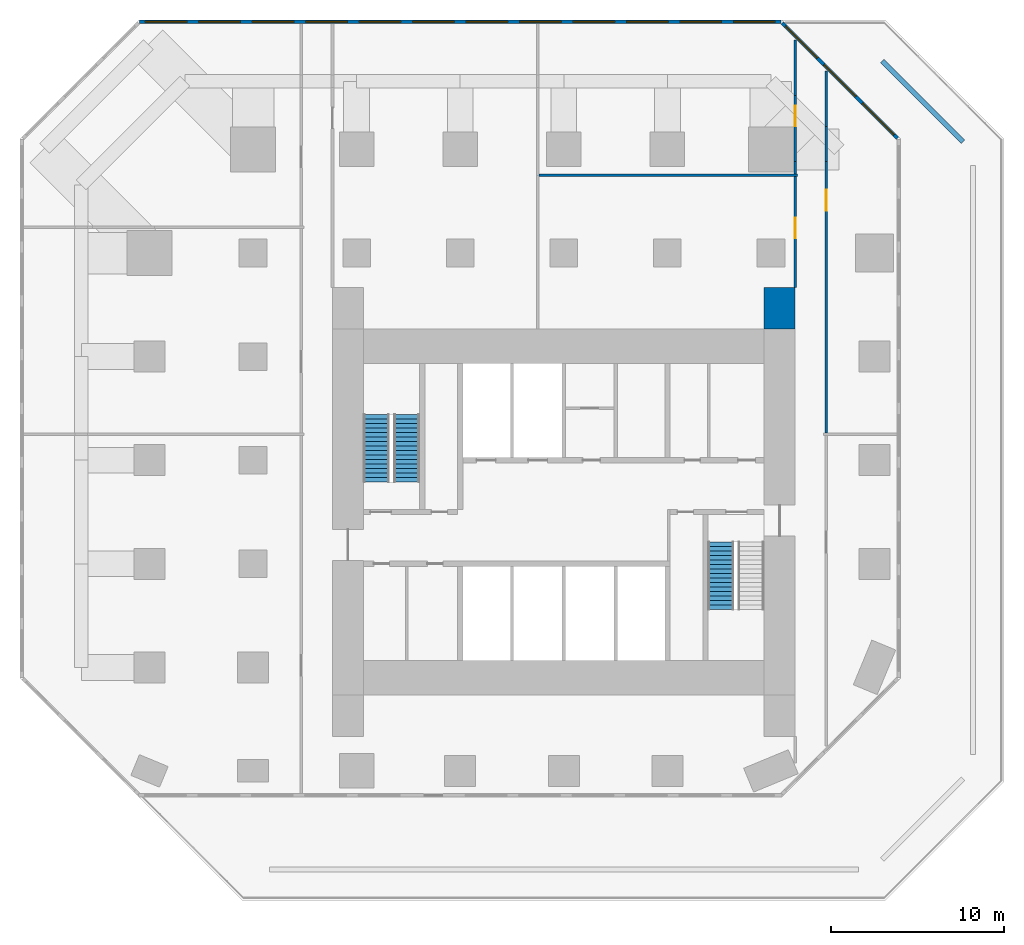
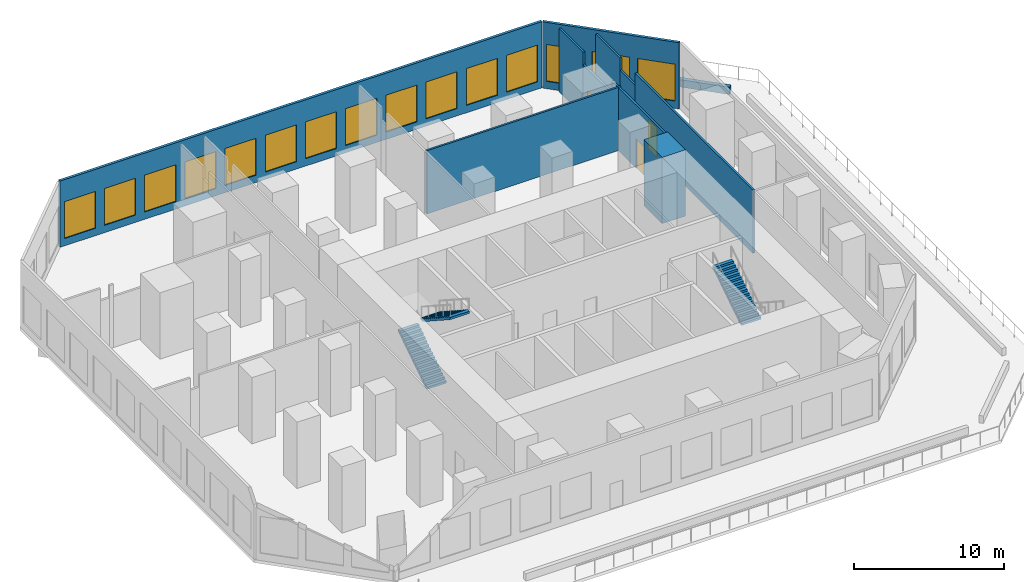
# One storey, part 5 of 7: 15 windows, 12 walls, 3 doors, 3 stair flights, 18 openings, 2 elements without a shape of their own.
"""IFC4 building model written with IfcOpenShell, lengths in metres."""

from ifc_helpers import new_model, si_unit, direction, frame, frame_2d, origin, place, context, subcontext, project, spatial, polyline, rectangle, outline, extrude, material, layer, layer_set, type_object, element, fill, aggregate, save


model = new_model("IFC4")

# Units and contexts
model_context = context("Model", 3, precision=1e-05, world=origin(), true_north=direction((0.0, 1.0)))
body_context = subcontext(model_context, "Body", "Model", "MODEL_VIEW")
ifc_project = project(units=[si_unit("LENGTHUNIT", "METRE"), si_unit("AREAUNIT", "SQUARE_METRE"), si_unit("VOLUMEUNIT", "CUBIC_METRE"), si_unit("PLANEANGLEUNIT", "RADIAN"), si_unit("MASSUNIT", "GRAM", prefix="KILO")], contexts=[model_context])

# Site, building, storey
site_placement = place(None, origin())
site = spatial("IfcSite", under=ifc_project, at=site_placement, CompositionType="ELEMENT")
building_placement = place(site_placement, origin())
building = spatial("IfcBuilding", under=site, at=building_placement, Name="Highveld Stack Headquarters", CompositionType="ELEMENT")
storey_placement = place(building_placement, frame((0.0, 0.0, 88.39990234375)))
storey = spatial("IfcBuildingStorey", under=building, at=storey_placement, Name="L21", CompositionType="ELEMENT", Elevation=88.39990234375)

# Walls
ifc_material_1 = material(Name="Concrete C60/75", Category="concrete")
ifc_layer_1 = layer(ifc_material_1, 1.800048828125)
ifc_layer_set_1 = layer_set([ifc_layer_1], Name="Concrete C60/75")
wall_type_1 = type_object("IfcWallType", Name="CORE WING WALL 1800 C60/75", PredefinedType="SHEAR", material=ifc_layer_set_1)
wall_1_placement = place(storey_placement, frame((18.5, 13.60009765625, 0.0), z_axis=(0.0, 0.0, 1.0), x_axis=(0.0, 1.0, 0.0)))
element("IfcWall", 1, at=wall_1_placement, inside=storey, type_object=wall_type_1, Name="Core wing wall EN L21", PredefinedType="SHEAR", context=body_context, shape_type="SweptSolid", body=[
    extrude(rectangle(XDim=2.39990234375, YDim=1.800048828125, at=frame_2d((1.199951171875, 0.0))), origin(), (0.0, 0.0, 1.0), 5.400146484375),
])
ifc_material_2 = material(Name="Concrete blockwork, plastered", Category="masonry")
ifc_layer_2 = layer(ifc_material_2, 0.14990234375)
ifc_layer_set_2 = layer_set([ifc_layer_2], Name="Concrete blockwork, plastered")
wall_type_2 = type_object("IfcWallType", Name="FIRE PARTITION 150 BLOCKWORK", PredefinedType="PARTITIONING", material=ifc_layer_set_2)
wall_2_placement = place(storey_placement, frame((4.574951171875, 22.5, 0.0), z_axis=(0.0, 0.0, 1.0), x_axis=(1.0, 0.0, 0.0)))
element("IfcWall", 2, at=wall_2_placement, inside=storey, type_object=wall_type_2, Name="Partition office neighbourhood L21", PredefinedType="PARTITIONING", context=body_context, shape_type="SweptSolid", body=[
    extrude(rectangle(XDim=14.97509765625, YDim=0.14990234375, at=frame_2d((7.487548828125, 0.0))), origin(), (0.0, 0.0, 1.0), 5.150146484375),
])

# Wall, opening, door
wall_3_placement = place(storey_placement, frame((19.39990234375, 16.0, 0.0), z_axis=(0.0, 0.0, 1.0), x_axis=(0.0, 1.0, 0.0)))
wall_3 = element("IfcWall", 3, at=wall_3_placement, inside=storey, type_object=wall_type_2, Name="Partition office neighbourhood L21", PredefinedType="PARTITIONING", context=body_context, shape_type="SweptSolid", body=[
    extrude(rectangle(XDim=6.425048828125, YDim=0.14990234375, at=frame_2d((3.21240234375, 0.0))), origin(), (0.0, 0.0, 1.0), 5.150146484375),
])
opening_1_placement = place(wall_3_placement, frame((2.85009765625, 0.0, 0.0)))
opening_1 = element("IfcOpeningElement", 4, at=opening_1_placement, cuts=wall_3, Name="Opening L21-20", PredefinedType="OPENING", context=body_context, shape_type="SweptSolid", body=[
    extrude(rectangle(XDim=1.199951171875, YDim=2.39990234375, at=frame_2d((0.60009765625, 1.199951171875))), frame((0.0, 0.0849609375, 0.0), z_axis=(0.0, -1.0, 0.0), x_axis=(1.0, 0.0, 0.0)), (0.0, 0.0, 1.0), 0.169921875),
])
ifc_material_3 = material(Name="Steel fire door", Category="steel")
door_type = type_object("IfcDoorType", Name="PLANT FIRE DOOR D7 1200x2400", OperationType="SINGLE_SWING_LEFT", PredefinedType="DOOR", material=ifc_material_3)
door_1_placement = place(opening_1_placement, origin())
door_1 = element("IfcDoor", 5, at=door_1_placement, inside=storey, type_object=door_type, Name="Plant room door L21", OperationType="SINGLE_SWING_RIGHT", OverallHeight=2.39990234375, OverallWidth=1.199951171875, PredefinedType="DOOR", context=body_context, shape_type="SweptSolid", body=[
    extrude(rectangle(XDim=1.199951171875, YDim=2.39990234375, at=frame_2d((0.60009765625, 1.199951171875))), frame((0.0, 0.02490234375, 0.0), z_axis=(0.0, -1.0, 0.0), x_axis=(1.0, 0.0, 0.0)), (0.0, 0.0, 1.0), 0.050048828125),
])
fill(opening_1, door_1)

# Wall
wall_4_placement = place(storey_placement, frame((19.39990234375, 22.574951171875, 0.0), z_axis=(0.0, 0.0, 1.0), x_axis=(0.0, 1.0, 0.0)))
element("IfcWall", 6, at=wall_4_placement, inside=storey, type_object=wall_type_2, Name="Partition office neighbourhood L21", PredefinedType="PARTITIONING", context=body_context, shape_type="SweptSolid", body=[
    extrude(rectangle(XDim=0.715087890625, YDim=0.14990234375, at=frame_2d((0.357421875, 0.0))), origin(), (0.0, 0.0, 1.0), 5.150146484375),
])

# Wall, opening, door
wall_5_placement = place(storey_placement, frame((19.39990234375, 23.2900390625, 0.0), z_axis=(0.0, 0.0, 1.0), x_axis=(0.0, 1.0, 0.0)))
wall_5 = element("IfcWall", 7, at=wall_5_placement, inside=storey, type_object=wall_type_2, Name="Partition office neighbourhood L21", PredefinedType="PARTITIONING", context=body_context, shape_type="SweptSolid", body=[
    extrude(rectangle(XDim=3.849853515625, YDim=0.14990234375, at=frame_2d((1.9248046875, 0.0))), origin(), (0.0, 0.0, 1.0), 4.150146484375),
])
opening_2_placement = place(wall_5_placement, frame((2.050048828125, 0.0, 0.0)))
opening_2 = element("IfcOpeningElement", 8, at=opening_2_placement, cuts=wall_5, Name="Opening L21-21", PredefinedType="OPENING", context=body_context, shape_type="SweptSolid", body=[
    extrude(rectangle(XDim=1.199951171875, YDim=2.39990234375, at=frame_2d((0.60009765625, 1.199951171875))), frame((0.0, 0.0849609375, 0.0), z_axis=(0.0, -1.0, 0.0), x_axis=(1.0, 0.0, 0.0)), (0.0, 0.0, 1.0), 0.169921875),
])
door_2_placement = place(opening_2_placement, origin())
door_2 = element("IfcDoor", 9, at=door_2_placement, inside=storey, type_object=door_type, Name="Plant room door L21", OperationType="SINGLE_SWING_RIGHT", OverallHeight=2.39990234375, OverallWidth=1.199951171875, PredefinedType="DOOR", context=body_context, shape_type="SweptSolid", body=[
    extrude(rectangle(XDim=1.199951171875, YDim=2.39990234375, at=frame_2d((0.60009765625, 1.199951171875))), frame((0.0, 0.02490234375, 0.0), z_axis=(0.0, -1.0, 0.0), x_axis=(1.0, 0.0, 0.0)), (0.0, 0.0, 1.0), 0.050048828125),
])
fill(opening_2, door_2)

# Wall
wall_6_placement = place(storey_placement, frame((19.39990234375, 27.139892578125, 0.0), z_axis=(0.0, 0.0, 1.0), x_axis=(0.0, 1.0, 0.0)))
element("IfcWall", 10, at=wall_6_placement, inside=storey, type_object=wall_type_2, Name="Partition office neighbourhood L21", PredefinedType="PARTITIONING", context=body_context, shape_type="SweptSolid", body=[
    extrude(rectangle(XDim=3.216064453125, YDim=0.14990234375, at=frame_2d((1.60791015625, 0.0))), origin(), (0.0, 0.0, 1.0), 5.150146484375),
])

# Wall, opening, door
wall_7_placement = place(storey_placement, frame((21.199951171875, 7.574951171875, 0.0), z_axis=(0.0, 0.0, 1.0), x_axis=(0.0, 1.0, 0.0)))
wall_7 = element("IfcWall", 11, at=wall_7_placement, inside=storey, type_object=wall_type_2, Name="Partition office neighbourhood L21", PredefinedType="PARTITIONING", context=body_context, shape_type="SweptSolid", body=[
    extrude(rectangle(XDim=15.715087890625, YDim=0.14990234375, at=frame_2d((7.857421875, 0.0))), origin(), (0.0, 0.0, 1.0), 5.150146484375),
])
opening_3_placement = place(wall_7_placement, frame((12.881103515625, 0.0, 0.0)))
opening_3 = element("IfcOpeningElement", 12, at=opening_3_placement, cuts=wall_7, Name="Opening L21-17", PredefinedType="OPENING", context=body_context, shape_type="SweptSolid", body=[
    extrude(rectangle(XDim=1.199951171875, YDim=2.39990234375, at=frame_2d((0.60009765625, 1.199951171875))), frame((0.0, 0.0849609375, 0.0), z_axis=(0.0, -1.0, 0.0), x_axis=(1.0, 0.0, 0.0)), (0.0, 0.0, 1.0), 0.169921875),
])
door_3_placement = place(opening_3_placement, origin())
door_3 = element("IfcDoor", 13, at=door_3_placement, inside=storey, type_object=door_type, Name="Plant room door L21", OperationType="SINGLE_SWING_RIGHT", OverallHeight=2.39990234375, OverallWidth=1.199951171875, PredefinedType="DOOR", context=body_context, shape_type="SweptSolid", body=[
    extrude(rectangle(XDim=1.199951171875, YDim=2.39990234375, at=frame_2d((0.60009765625, 1.199951171875))), frame((0.0, 0.02490234375, 0.0), z_axis=(0.0, -1.0, 0.0), x_axis=(1.0, 0.0, 0.0)), (0.0, 0.0, 1.0), 0.050048828125),
])
fill(opening_3, door_3)

# Walls
wall_8_placement = place(storey_placement, frame((21.199951171875, 23.2900390625, 0.0), z_axis=(0.0, 0.0, 1.0), x_axis=(0.0, 1.0, 0.0)))
element("IfcWall", 14, at=wall_8_placement, inside=storey, type_object=wall_type_2, Name="Partition office neighbourhood L21", PredefinedType="PARTITIONING", context=body_context, shape_type="SweptSolid", body=[
    extrude(rectangle(XDim=2.050048828125, YDim=0.14990234375, at=frame_2d((1.02490234375, 0.0))), origin(), (0.0, 0.0, 1.0), 4.150146484375),
])
wall_9_placement = place(storey_placement, frame((21.199951171875, 25.340087890625, 0.0), z_axis=(0.0, 0.0, 1.0), x_axis=(0.0, 1.0, 0.0)))
element("IfcWall", 15, at=wall_9_placement, inside=storey, type_object=wall_type_2, Name="Partition office neighbourhood L21", PredefinedType="PARTITIONING", context=body_context, shape_type="SweptSolid", body=[
    extrude(rectangle(XDim=3.2158203125, YDim=0.14990234375, at=frame_2d((1.60791015625, 0.0))), origin(), (0.0, 0.0, 1.0), 5.150146484375),
])
ifc_material_4 = material(Name="Concrete C40/50, precast planter", Category="concrete")
ifc_layer_3 = layer(ifc_material_4, 0.300048828125)
ifc_layer_set_3 = layer_set([ifc_layer_3], Name="Concrete C40/50, precast planter")
wall_type_3 = type_object("IfcWallType", Name="PLANTER WALL PL1 300", PredefinedType="USERDEFINED", material=ifc_layer_set_3)
wall_10_placement = place(storey_placement, frame((24.453125, 29.12255859375, 0.0), z_axis=(0.0, 0.0, 1.0), x_axis=(0.707106781187, -0.707106781187, 0.0)))
element("IfcWall", 16, at=wall_10_placement, inside=storey, type_object=wall_type_3, Name="Planter L21 1.2", ObjectType="PLANTER", PredefinedType="USERDEFINED", context=body_context, shape_type="SweptSolid", body=[
    extrude(rectangle(XDim=6.603515625, YDim=0.300048828125, at=frame_2d((3.3017578125, 0.0))), origin(), (0.0, 0.0, 1.0), 0.60009765625),
])

# Wall, openings, windows
ifc_material_5 = material(Name="Concrete C40/50, precast cladding", Category="concrete")
ifc_layer_4 = layer(ifc_material_5, 0.199951171875)
ifc_layer_set_4 = layer_set([ifc_layer_4], Name="Concrete C40/50, precast cladding")
wall_type_4 = type_object("IfcWallType", Name="PRECAST LOUVRE WALL 200", PredefinedType="USERDEFINED", material=ifc_layer_set_4)
wall_11_placement = place(storey_placement, frame((25.329345703125, 24.650634765625, 0.0), z_axis=(0.0, 0.0, 1.0), x_axis=(-0.707106781187, 0.707106781187, 0.0)))
wall_11 = element("IfcWall", 17, at=wall_11_placement, inside=storey, type_object=wall_type_4, Name="Precast louvre wall L21 NE", ObjectType="PRECAST CLADDING", PredefinedType="USERDEFINED", context=body_context, shape_type="SweptSolid", body=[
    extrude(rectangle(XDim=9.445068359375, YDim=0.199951171875, at=frame_2d((4.72265625, 0.0))), origin(), (0.0, 0.0, 1.0), 5.400146484375),
])
opening_4_placement = place(wall_11_placement, frame((0.274169921875, 0.0, 0.60009765625)))
opening_4 = element("IfcOpeningElement", 18, at=opening_4_placement, cuts=wall_11, Name="Opening L2", PredefinedType="OPENING", context=body_context, shape_type="SweptSolid", body=[
    extrude(rectangle(XDim=2.60009765625, YDim=3.0, at=frame_2d((1.300048828125, 1.5))), frame((0.0, 0.10986328125, 0.0), z_axis=(0.0, -1.0, 0.0), x_axis=(1.0, 0.0, 0.0)), (0.0, 0.0, 1.0), 0.219970703125),
])
opening_5_placement = place(wall_11_placement, frame((3.422607421875, 0.0, 0.60009765625)))
opening_5 = element("IfcOpeningElement", 19, at=opening_5_placement, cuts=wall_11, Name="Opening L2", PredefinedType="OPENING", context=body_context, shape_type="SweptSolid", body=[
    extrude(rectangle(XDim=2.60009765625, YDim=3.0, at=frame_2d((1.300048828125, 1.5))), frame((0.0, 0.10986328125, 0.0), z_axis=(0.0, -1.0, 0.0), x_axis=(1.0, 0.0, 0.0)), (0.0, 0.0, 1.0), 0.219970703125),
])
opening_6_placement = place(wall_11_placement, frame((6.57080078125, 0.0, 0.60009765625)))
opening_6 = element("IfcOpeningElement", 20, at=opening_6_placement, cuts=wall_11, Name="Opening L2", PredefinedType="OPENING", context=body_context, shape_type="SweptSolid", body=[
    extrude(rectangle(XDim=2.60009765625, YDim=3.0, at=frame_2d((1.300048828125, 1.5))), frame((0.0, 0.10986328125, 0.0), z_axis=(0.0, -1.0, 0.0), x_axis=(1.0, 0.0, 0.0)), (0.0, 0.0, 1.0), 0.219970703125),
])
ifc_material_6 = material(Name="Aluminium bronze anodised", Category="aluminium")
window_type_1 = type_object("IfcWindowType", Name="LOUVRE L2 2400x3000 CHAMFER", PartitioningType="SINGLE_PANEL", PredefinedType="USERDEFINED", material=ifc_material_6)
window_1_placement = place(opening_4_placement, origin())
window_1 = element("IfcWindow", 21, at=window_1_placement, inside=storey, type_object=window_type_1, Name="Louvre L21 NE 1", ObjectType="LOUVRE", OverallHeight=3.0, OverallWidth=2.60009765625, PartitioningType="SINGLE_PANEL", PredefinedType="USERDEFINED", context=body_context, shape_type="SweptSolid", body=[
    extrude(rectangle(XDim=2.60009765625, YDim=3.0, at=frame_2d((1.300048828125, 1.5))), frame((0.0, 0.030029296875, 0.0), z_axis=(0.0, -1.0, 0.0), x_axis=(1.0, 0.0, 0.0)), (0.0, 0.0, 1.0), 0.06005859375),
])
fill(opening_4, window_1)
window_2_placement = place(opening_5_placement, origin())
window_2 = element("IfcWindow", 22, at=window_2_placement, inside=storey, type_object=window_type_1, Name="Louvre L21 NE 2", ObjectType="LOUVRE", OverallHeight=3.0, OverallWidth=2.60009765625, PartitioningType="SINGLE_PANEL", PredefinedType="USERDEFINED", context=body_context, shape_type="SweptSolid", body=[
    extrude(rectangle(XDim=2.60009765625, YDim=3.0, at=frame_2d((1.300048828125, 1.5))), frame((0.0, 0.030029296875, 0.0), z_axis=(0.0, -1.0, 0.0), x_axis=(1.0, 0.0, 0.0)), (0.0, 0.0, 1.0), 0.06005859375),
])
fill(opening_5, window_2)
window_3_placement = place(opening_6_placement, origin())
window_3 = element("IfcWindow", 23, at=window_3_placement, inside=storey, type_object=window_type_1, Name="Louvre L21 NE 3", ObjectType="LOUVRE", OverallHeight=3.0, OverallWidth=2.60009765625, PartitioningType="SINGLE_PANEL", PredefinedType="USERDEFINED", context=body_context, shape_type="SweptSolid", body=[
    extrude(rectangle(XDim=2.60009765625, YDim=3.0, at=frame_2d((1.300048828125, 1.5))), frame((0.0, 0.030029296875, 0.0), z_axis=(0.0, -1.0, 0.0), x_axis=(1.0, 0.0, 0.0)), (0.0, 0.0, 1.0), 0.06005859375),
])
fill(opening_6, window_3)

wall_12_placement = place(storey_placement, frame((18.579833984375, 31.39990234375, 0.0), z_axis=(0.0, 0.0, 1.0), x_axis=(-1.0, 0.0, 0.0)))
wall_12 = element("IfcWall", 24, at=wall_12_placement, inside=storey, type_object=wall_type_4, Name="Precast louvre wall L21 N", ObjectType="PRECAST CLADDING", PredefinedType="USERDEFINED", context=body_context, shape_type="SweptSolid", body=[
    extrude(rectangle(XDim=37.15966796875, YDim=0.199951171875, at=frame_2d((18.579833984375, 0.0))), origin(), (0.0, 0.0, 1.0), 5.400146484375),
])
opening_7_placement = place(wall_12_placement, frame((0.348388671875, 0.0, 0.60009765625)))
opening_7 = element("IfcOpeningElement", 25, at=opening_7_placement, cuts=wall_12, Name="Opening L1", PredefinedType="OPENING", context=body_context, shape_type="SweptSolid", body=[
    extrude(rectangle(XDim=2.39990234375, YDim=3.0, at=frame_2d((1.199951171875, 1.5))), frame((0.0, 0.10986328125, 0.0), z_axis=(0.0, -1.0, 0.0), x_axis=(1.0, 0.0, 0.0)), (0.0, 0.0, 1.0), 0.219970703125),
])
opening_8_placement = place(wall_12_placement, frame((3.445068359375, 0.0, 0.60009765625)))
opening_8 = element("IfcOpeningElement", 26, at=opening_8_placement, cuts=wall_12, Name="Opening L1", PredefinedType="OPENING", context=body_context, shape_type="SweptSolid", body=[
    extrude(rectangle(XDim=2.39990234375, YDim=3.0, at=frame_2d((1.199951171875, 1.5))), frame((0.0, 0.10986328125, 0.0), z_axis=(0.0, -1.0, 0.0), x_axis=(1.0, 0.0, 0.0)), (0.0, 0.0, 1.0), 0.219970703125),
])
opening_9_placement = place(wall_12_placement, frame((6.54150390625, 0.0, 0.60009765625)))
opening_9 = element("IfcOpeningElement", 27, at=opening_9_placement, cuts=wall_12, Name="Opening L1", PredefinedType="OPENING", context=body_context, shape_type="SweptSolid", body=[
    extrude(rectangle(XDim=2.39990234375, YDim=3.0, at=frame_2d((1.199951171875, 1.5))), frame((0.0, 0.10986328125, 0.0), z_axis=(0.0, -1.0, 0.0), x_axis=(1.0, 0.0, 0.0)), (0.0, 0.0, 1.0), 0.219970703125),
])
opening_10_placement = place(wall_12_placement, frame((9.63818359375, 0.0, 0.60009765625)))
opening_10 = element("IfcOpeningElement", 28, at=opening_10_placement, cuts=wall_12, Name="Opening L1", PredefinedType="OPENING", context=body_context, shape_type="SweptSolid", body=[
    extrude(rectangle(XDim=2.39990234375, YDim=3.0, at=frame_2d((1.199951171875, 1.5))), frame((0.0, 0.10986328125, 0.0), z_axis=(0.0, -1.0, 0.0), x_axis=(1.0, 0.0, 0.0)), (0.0, 0.0, 1.0), 0.219970703125),
])
opening_11_placement = place(wall_12_placement, frame((12.73486328125, 0.0, 0.60009765625)))
opening_11 = element("IfcOpeningElement", 29, at=opening_11_placement, cuts=wall_12, Name="Opening L1", PredefinedType="OPENING", context=body_context, shape_type="SweptSolid", body=[
    extrude(rectangle(XDim=2.39990234375, YDim=3.0, at=frame_2d((1.199951171875, 1.5))), frame((0.0, 0.10986328125, 0.0), z_axis=(0.0, -1.0, 0.0), x_axis=(1.0, 0.0, 0.0)), (0.0, 0.0, 1.0), 0.219970703125),
])
opening_12_placement = place(wall_12_placement, frame((15.83154296875, 0.0, 0.60009765625)))
opening_12 = element("IfcOpeningElement", 30, at=opening_12_placement, cuts=wall_12, Name="Opening L1", PredefinedType="OPENING", context=body_context, shape_type="SweptSolid", body=[
    extrude(rectangle(XDim=2.39990234375, YDim=3.0, at=frame_2d((1.199951171875, 1.5))), frame((0.0, 0.10986328125, 0.0), z_axis=(0.0, -1.0, 0.0), x_axis=(1.0, 0.0, 0.0)), (0.0, 0.0, 1.0), 0.219970703125),
])
opening_13_placement = place(wall_12_placement, frame((18.92822265625, 0.0, 0.60009765625)))
opening_13 = element("IfcOpeningElement", 31, at=opening_13_placement, cuts=wall_12, Name="Opening L1", PredefinedType="OPENING", context=body_context, shape_type="SweptSolid", body=[
    extrude(rectangle(XDim=2.39990234375, YDim=3.0, at=frame_2d((1.199951171875, 1.5))), frame((0.0, 0.10986328125, 0.0), z_axis=(0.0, -1.0, 0.0), x_axis=(1.0, 0.0, 0.0)), (0.0, 0.0, 1.0), 0.219970703125),
])
opening_14_placement = place(wall_12_placement, frame((22.02490234375, 0.0, 0.60009765625)))
opening_14 = element("IfcOpeningElement", 32, at=opening_14_placement, cuts=wall_12, Name="Opening L1", PredefinedType="OPENING", context=body_context, shape_type="SweptSolid", body=[
    extrude(rectangle(XDim=2.39990234375, YDim=3.0, at=frame_2d((1.199951171875, 1.5))), frame((0.0, 0.10986328125, 0.0), z_axis=(0.0, -1.0, 0.0), x_axis=(1.0, 0.0, 0.0)), (0.0, 0.0, 1.0), 0.219970703125),
])
opening_15_placement = place(wall_12_placement, frame((25.12158203125, 0.0, 0.60009765625)))
opening_15 = element("IfcOpeningElement", 33, at=opening_15_placement, cuts=wall_12, Name="Opening L1", PredefinedType="OPENING", context=body_context, shape_type="SweptSolid", body=[
    extrude(rectangle(XDim=2.39990234375, YDim=3.0, at=frame_2d((1.199951171875, 1.5))), frame((0.0, 0.10986328125, 0.0), z_axis=(0.0, -1.0, 0.0), x_axis=(1.0, 0.0, 0.0)), (0.0, 0.0, 1.0), 0.219970703125),
])
opening_16_placement = place(wall_12_placement, frame((28.21826171875, 0.0, 0.60009765625)))
opening_16 = element("IfcOpeningElement", 34, at=opening_16_placement, cuts=wall_12, Name="Opening L1", PredefinedType="OPENING", context=body_context, shape_type="SweptSolid", body=[
    extrude(rectangle(XDim=2.39990234375, YDim=3.0, at=frame_2d((1.199951171875, 1.5))), frame((0.0, 0.10986328125, 0.0), z_axis=(0.0, -1.0, 0.0), x_axis=(1.0, 0.0, 0.0)), (0.0, 0.0, 1.0), 0.219970703125),
])
opening_17_placement = place(wall_12_placement, frame((31.314697265625, 0.0, 0.60009765625)))
opening_17 = element("IfcOpeningElement", 35, at=opening_17_placement, cuts=wall_12, Name="Opening L1", PredefinedType="OPENING", context=body_context, shape_type="SweptSolid", body=[
    extrude(rectangle(XDim=2.39990234375, YDim=3.0, at=frame_2d((1.199951171875, 1.5))), frame((0.0, 0.10986328125, 0.0), z_axis=(0.0, -1.0, 0.0), x_axis=(1.0, 0.0, 0.0)), (0.0, 0.0, 1.0), 0.219970703125),
])
opening_18_placement = place(wall_12_placement, frame((34.41162109375, 0.0, 0.60009765625)))
opening_18 = element("IfcOpeningElement", 36, at=opening_18_placement, cuts=wall_12, Name="Opening L1", PredefinedType="OPENING", context=body_context, shape_type="SweptSolid", body=[
    extrude(rectangle(XDim=2.39990234375, YDim=3.0, at=frame_2d((1.199951171875, 1.5))), frame((0.0, 0.10986328125, 0.0), z_axis=(0.0, -1.0, 0.0), x_axis=(1.0, 0.0, 0.0)), (0.0, 0.0, 1.0), 0.219970703125),
])
ifc_material_7 = material(Name="Aluminium bronze anodised", Category="aluminium")
window_type_2 = type_object("IfcWindowType", Name="LOUVRE L1 2400x3000", PartitioningType="SINGLE_PANEL", PredefinedType="USERDEFINED", material=ifc_material_7)
window_4_placement = place(opening_7_placement, origin())
window_4 = element("IfcWindow", 37, at=window_4_placement, inside=storey, type_object=window_type_2, Name="Louvre L21 N 1", ObjectType="LOUVRE", OverallHeight=3.0, OverallWidth=2.39990234375, PartitioningType="SINGLE_PANEL", PredefinedType="USERDEFINED", context=body_context, shape_type="SweptSolid", body=[
    extrude(rectangle(XDim=2.39990234375, YDim=3.0, at=frame_2d((1.199951171875, 1.5))), frame((0.0, 0.030029296875, 0.0), z_axis=(0.0, -1.0, 0.0), x_axis=(1.0, 0.0, 0.0)), (0.0, 0.0, 1.0), 0.06005859375),
])
fill(opening_7, window_4)
window_5_placement = place(opening_8_placement, origin())
window_5 = element("IfcWindow", 38, at=window_5_placement, inside=storey, type_object=window_type_2, Name="Louvre L21 N 2", ObjectType="LOUVRE", OverallHeight=3.0, OverallWidth=2.39990234375, PartitioningType="SINGLE_PANEL", PredefinedType="USERDEFINED", context=body_context, shape_type="SweptSolid", body=[
    extrude(rectangle(XDim=2.39990234375, YDim=3.0, at=frame_2d((1.199951171875, 1.5))), frame((0.0, 0.030029296875, 0.0), z_axis=(0.0, -1.0, 0.0), x_axis=(1.0, 0.0, 0.0)), (0.0, 0.0, 1.0), 0.06005859375),
])
fill(opening_8, window_5)
window_6_placement = place(opening_9_placement, origin())
window_6 = element("IfcWindow", 39, at=window_6_placement, inside=storey, type_object=window_type_2, Name="Louvre L21 N 3", ObjectType="LOUVRE", OverallHeight=3.0, OverallWidth=2.39990234375, PartitioningType="SINGLE_PANEL", PredefinedType="USERDEFINED", context=body_context, shape_type="SweptSolid", body=[
    extrude(rectangle(XDim=2.39990234375, YDim=3.0, at=frame_2d((1.199951171875, 1.5))), frame((0.0, 0.030029296875, 0.0), z_axis=(0.0, -1.0, 0.0), x_axis=(1.0, 0.0, 0.0)), (0.0, 0.0, 1.0), 0.06005859375),
])
fill(opening_9, window_6)
window_7_placement = place(opening_10_placement, origin())
window_7 = element("IfcWindow", 40, at=window_7_placement, inside=storey, type_object=window_type_2, Name="Louvre L21 N 4", ObjectType="LOUVRE", OverallHeight=3.0, OverallWidth=2.39990234375, PartitioningType="SINGLE_PANEL", PredefinedType="USERDEFINED", context=body_context, shape_type="SweptSolid", body=[
    extrude(rectangle(XDim=2.39990234375, YDim=3.0, at=frame_2d((1.199951171875, 1.5))), frame((0.0, 0.030029296875, 0.0), z_axis=(0.0, -1.0, 0.0), x_axis=(1.0, 0.0, 0.0)), (0.0, 0.0, 1.0), 0.06005859375),
])
fill(opening_10, window_7)
window_8_placement = place(opening_11_placement, origin())
window_8 = element("IfcWindow", 41, at=window_8_placement, inside=storey, type_object=window_type_2, Name="Louvre L21 N 5", ObjectType="LOUVRE", OverallHeight=3.0, OverallWidth=2.39990234375, PartitioningType="SINGLE_PANEL", PredefinedType="USERDEFINED", context=body_context, shape_type="SweptSolid", body=[
    extrude(rectangle(XDim=2.39990234375, YDim=3.0, at=frame_2d((1.199951171875, 1.5))), frame((0.0, 0.030029296875, 0.0), z_axis=(0.0, -1.0, 0.0), x_axis=(1.0, 0.0, 0.0)), (0.0, 0.0, 1.0), 0.06005859375),
])
fill(opening_11, window_8)
window_9_placement = place(opening_12_placement, origin())
window_9 = element("IfcWindow", 42, at=window_9_placement, inside=storey, type_object=window_type_2, Name="Louvre L21 N 6", ObjectType="LOUVRE", OverallHeight=3.0, OverallWidth=2.39990234375, PartitioningType="SINGLE_PANEL", PredefinedType="USERDEFINED", context=body_context, shape_type="SweptSolid", body=[
    extrude(rectangle(XDim=2.39990234375, YDim=3.0, at=frame_2d((1.199951171875, 1.5))), frame((0.0, 0.030029296875, 0.0), z_axis=(0.0, -1.0, 0.0), x_axis=(1.0, 0.0, 0.0)), (0.0, 0.0, 1.0), 0.06005859375),
])
fill(opening_12, window_9)
window_10_placement = place(opening_13_placement, origin())
window_10 = element("IfcWindow", 43, at=window_10_placement, inside=storey, type_object=window_type_2, Name="Louvre L21 N 7", ObjectType="LOUVRE", OverallHeight=3.0, OverallWidth=2.39990234375, PartitioningType="SINGLE_PANEL", PredefinedType="USERDEFINED", context=body_context, shape_type="SweptSolid", body=[
    extrude(rectangle(XDim=2.39990234375, YDim=3.0, at=frame_2d((1.199951171875, 1.5))), frame((0.0, 0.030029296875, 0.0), z_axis=(0.0, -1.0, 0.0), x_axis=(1.0, 0.0, 0.0)), (0.0, 0.0, 1.0), 0.06005859375),
])
fill(opening_13, window_10)
window_11_placement = place(opening_14_placement, origin())
window_11 = element("IfcWindow", 44, at=window_11_placement, inside=storey, type_object=window_type_2, Name="Louvre L21 N 8", ObjectType="LOUVRE", OverallHeight=3.0, OverallWidth=2.39990234375, PartitioningType="SINGLE_PANEL", PredefinedType="USERDEFINED", context=body_context, shape_type="SweptSolid", body=[
    extrude(rectangle(XDim=2.39990234375, YDim=3.0, at=frame_2d((1.199951171875, 1.5))), frame((0.0, 0.030029296875, 0.0), z_axis=(0.0, -1.0, 0.0), x_axis=(1.0, 0.0, 0.0)), (0.0, 0.0, 1.0), 0.06005859375),
])
fill(opening_14, window_11)
window_12_placement = place(opening_15_placement, origin())
window_12 = element("IfcWindow", 45, at=window_12_placement, inside=storey, type_object=window_type_2, Name="Louvre L21 N 9", ObjectType="LOUVRE", OverallHeight=3.0, OverallWidth=2.39990234375, PartitioningType="SINGLE_PANEL", PredefinedType="USERDEFINED", context=body_context, shape_type="SweptSolid", body=[
    extrude(rectangle(XDim=2.39990234375, YDim=3.0, at=frame_2d((1.199951171875, 1.5))), frame((0.0, 0.030029296875, 0.0), z_axis=(0.0, -1.0, 0.0), x_axis=(1.0, 0.0, 0.0)), (0.0, 0.0, 1.0), 0.06005859375),
])
fill(opening_15, window_12)
window_13_placement = place(opening_16_placement, origin())
window_13 = element("IfcWindow", 46, at=window_13_placement, inside=storey, type_object=window_type_2, Name="Louvre L21 N 10", ObjectType="LOUVRE", OverallHeight=3.0, OverallWidth=2.39990234375, PartitioningType="SINGLE_PANEL", PredefinedType="USERDEFINED", context=body_context, shape_type="SweptSolid", body=[
    extrude(rectangle(XDim=2.39990234375, YDim=3.0, at=frame_2d((1.199951171875, 1.5))), frame((0.0, 0.030029296875, 0.0), z_axis=(0.0, -1.0, 0.0), x_axis=(1.0, 0.0, 0.0)), (0.0, 0.0, 1.0), 0.06005859375),
])
fill(opening_16, window_13)
window_14_placement = place(opening_17_placement, origin())
window_14 = element("IfcWindow", 47, at=window_14_placement, inside=storey, type_object=window_type_2, Name="Louvre L21 N 11", ObjectType="LOUVRE", OverallHeight=3.0, OverallWidth=2.39990234375, PartitioningType="SINGLE_PANEL", PredefinedType="USERDEFINED", context=body_context, shape_type="SweptSolid", body=[
    extrude(rectangle(XDim=2.39990234375, YDim=3.0, at=frame_2d((1.199951171875, 1.5))), frame((0.0, 0.030029296875, 0.0), z_axis=(0.0, -1.0, 0.0), x_axis=(1.0, 0.0, 0.0)), (0.0, 0.0, 1.0), 0.06005859375),
])
fill(opening_17, window_14)
window_15_placement = place(opening_18_placement, origin())
window_15 = element("IfcWindow", 48, at=window_15_placement, inside=storey, type_object=window_type_2, Name="Louvre L21 N 12", ObjectType="LOUVRE", OverallHeight=3.0, OverallWidth=2.39990234375, PartitioningType="SINGLE_PANEL", PredefinedType="USERDEFINED", context=body_context, shape_type="SweptSolid", body=[
    extrude(rectangle(XDim=2.39990234375, YDim=3.0, at=frame_2d((1.199951171875, 1.5))), frame((0.0, 0.030029296875, 0.0), z_axis=(0.0, -1.0, 0.0), x_axis=(1.0, 0.0, 0.0)), (0.0, 0.0, 1.0), 0.06005859375),
])
fill(opening_18, window_15)

# Stair, stair flights
ifc_material_8 = material(Name="Concrete C40/50, precast", Category="concrete")
stair_type_1 = type_object("IfcStairType", Name="STAIR S1 HALF TURN 1500", PredefinedType="HALF_TURN_STAIR", material=ifc_material_8)
stair_1_placement = place(storey_placement, origin())
stair_1 = element("IfcStair", 49, at=stair_1_placement, inside=storey, type_object=stair_type_1, Name="Stair S1 L21", PredefinedType="HALF_TURN_STAIR")
ifc_material_9 = material(Name="Concrete C40/50, precast", Category="concrete")
stair_flight_type = type_object("IfcStairFlightType", Name="STAIR FLIGHT 1500 PRECAST", PredefinedType="STRAIGHT", material=ifc_material_9)
stair_flight_1_placement = place(storey_placement, frame((-4.85009765625, 4.75, 0.0), z_axis=(0.0, 0.0, 1.0), x_axis=(0.0, 1.0, 0.0)))
stair_flight_1 = element("IfcStairFlight", 50, at=stair_flight_1_placement, type_object=stair_flight_type, Name="S1 flight 1", NumberOfRisers=16, NumberOfTreads=15, PredefinedType="STRAIGHT", RiserHeight=0.16875, TreadLength=0.26, context=body_context, shape_type="SweptSolid", body=[
    extrude(outline(polyline([(0.0, 0.0), (0.0, 0.168701171875), (0.260009765625, 0.168701171875), (0.260009765625, 0.33740234375), (0.52001953125, 0.33740234375), (0.52001953125, 0.50634765625), (0.780029296875, 0.50634765625), (0.780029296875, 0.675048828125), (1.0400390625, 0.675048828125), (1.0400390625, 0.84375), (1.300048828125, 0.84375), (1.300048828125, 1.012451171875), (1.56005859375, 1.012451171875), (1.56005859375, 1.18115234375), (1.820068359375, 1.18115234375), (1.820068359375, 1.35009765625), (2.080078125, 1.35009765625), (2.080078125, 1.518798828125), (2.340087890625, 1.518798828125), (2.340087890625, 1.6875), (2.60009765625, 1.6875), (2.60009765625, 1.856201171875), (2.860107421875, 1.856201171875), (2.860107421875, 2.02490234375), (3.1201171875, 2.02490234375), (3.1201171875, 2.19384765625), (3.3798828125, 2.19384765625), (3.3798828125, 2.362548828125), (3.639892578125, 2.362548828125), (3.639892578125, 2.53125), (3.89990234375, 2.53125), (3.89990234375, 2.699951171875), (3.89990234375, 2.3525390625), (0.275390625, 0.0), (0.0, 0.0)])), frame((0.0, 0.75, 0.0), z_axis=(0.0, -1.0, 0.0), x_axis=(1.0, 0.0, 0.0)), (0.0, 0.0, 1.0), 1.5),
])
stair_flight_2_placement = place(storey_placement, frame((-3.10009765625, 8.64990234375, 2.7001953125), z_axis=(0.0, 0.0, 1.0), x_axis=(0.0, -1.0, 0.0)))
stair_flight_2 = element("IfcStairFlight", 51, at=stair_flight_2_placement, type_object=stair_flight_type, Name="S1 flight 2", NumberOfRisers=16, NumberOfTreads=15, PredefinedType="STRAIGHT", RiserHeight=0.16875, TreadLength=0.26, context=body_context, shape_type="SweptSolid", body=[
    extrude(outline(polyline([(0.0, 0.0), (0.0, 0.168701171875), (0.260009765625, 0.168701171875), (0.260009765625, 0.33740234375), (0.52001953125, 0.33740234375), (0.52001953125, 0.50634765625), (0.780029296875, 0.50634765625), (0.780029296875, 0.675048828125), (1.0400390625, 0.675048828125), (1.0400390625, 0.84375), (1.300048828125, 0.84375), (1.300048828125, 1.012451171875), (1.56005859375, 1.012451171875), (1.56005859375, 1.18115234375), (1.820068359375, 1.18115234375), (1.820068359375, 1.35009765625), (2.080078125, 1.35009765625), (2.080078125, 1.518798828125), (2.340087890625, 1.518798828125), (2.340087890625, 1.6875), (2.60009765625, 1.6875), (2.60009765625, 1.856201171875), (2.860107421875, 1.856201171875), (2.860107421875, 2.02490234375), (3.1201171875, 2.02490234375), (3.1201171875, 2.19384765625), (3.3798828125, 2.19384765625), (3.3798828125, 2.362548828125), (3.639892578125, 2.362548828125), (3.639892578125, 2.53125), (3.89990234375, 2.53125), (3.89990234375, 2.699951171875), (3.89990234375, 2.3525390625), (0.275390625, 0.0), (0.0, 0.0)])), frame((0.0, 0.75, 0.0), z_axis=(0.0, -1.0, 0.0), x_axis=(1.0, 0.0, 0.0)), (0.0, 0.0, 1.0), 1.5),
])
aggregate(stair_1, [stair_flight_1, stair_flight_2])

# Stair, stair flight
ifc_material_10 = material(Name="Concrete C40/50, precast", Category="concrete")
stair_type_2 = type_object("IfcStairType", Name="STAIR S2 HALF TURN 1500", PredefinedType="HALF_TURN_STAIR", material=ifc_material_10)
stair_2_placement = place(storey_placement, origin())
stair_2 = element("IfcStair", 52, at=stair_2_placement, inside=storey, type_object=stair_type_2, Name="Stair S2 L21", PredefinedType="HALF_TURN_STAIR")
stair_flight_3_placement = place(storey_placement, frame((15.10009765625, -2.64990234375, 2.7001953125), z_axis=(0.0, 0.0, 1.0), x_axis=(0.0, 1.0, 0.0)))
stair_flight_3 = element("IfcStairFlight", 53, at=stair_flight_3_placement, type_object=stair_flight_type, Name="S2 flight 2", NumberOfRisers=16, NumberOfTreads=15, PredefinedType="STRAIGHT", RiserHeight=0.16875, TreadLength=0.26, context=body_context, shape_type="SweptSolid", body=[
    extrude(outline(polyline([(0.0, 0.0), (0.0, 0.168701171875), (0.260009765625, 0.168701171875), (0.260009765625, 0.33740234375), (0.52001953125, 0.33740234375), (0.52001953125, 0.50634765625), (0.780029296875, 0.50634765625), (0.780029296875, 0.675048828125), (1.0400390625, 0.675048828125), (1.0400390625, 0.84375), (1.300048828125, 0.84375), (1.300048828125, 1.012451171875), (1.56005859375, 1.012451171875), (1.56005859375, 1.18115234375), (1.820068359375, 1.18115234375), (1.820068359375, 1.35009765625), (2.080078125, 1.35009765625), (2.080078125, 1.518798828125), (2.340087890625, 1.518798828125), (2.340087890625, 1.6875), (2.60009765625, 1.6875), (2.60009765625, 1.856201171875), (2.860107421875, 1.856201171875), (2.860107421875, 2.02490234375), (3.1201171875, 2.02490234375), (3.1201171875, 2.19384765625), (3.3798828125, 2.19384765625), (3.3798828125, 2.362548828125), (3.639892578125, 2.362548828125), (3.639892578125, 2.53125), (3.89990234375, 2.53125), (3.89990234375, 2.699951171875), (3.89990234375, 2.3525390625), (0.275390625, 0.0), (0.0, 0.0)])), frame((0.0, 0.75, 0.0), z_axis=(0.0, -1.0, 0.0), x_axis=(1.0, 0.0, 0.0)), (0.0, 0.0, 1.0), 1.5),
])
aggregate(stair_2, [stair_flight_3])

save(model, "model.ifc")
